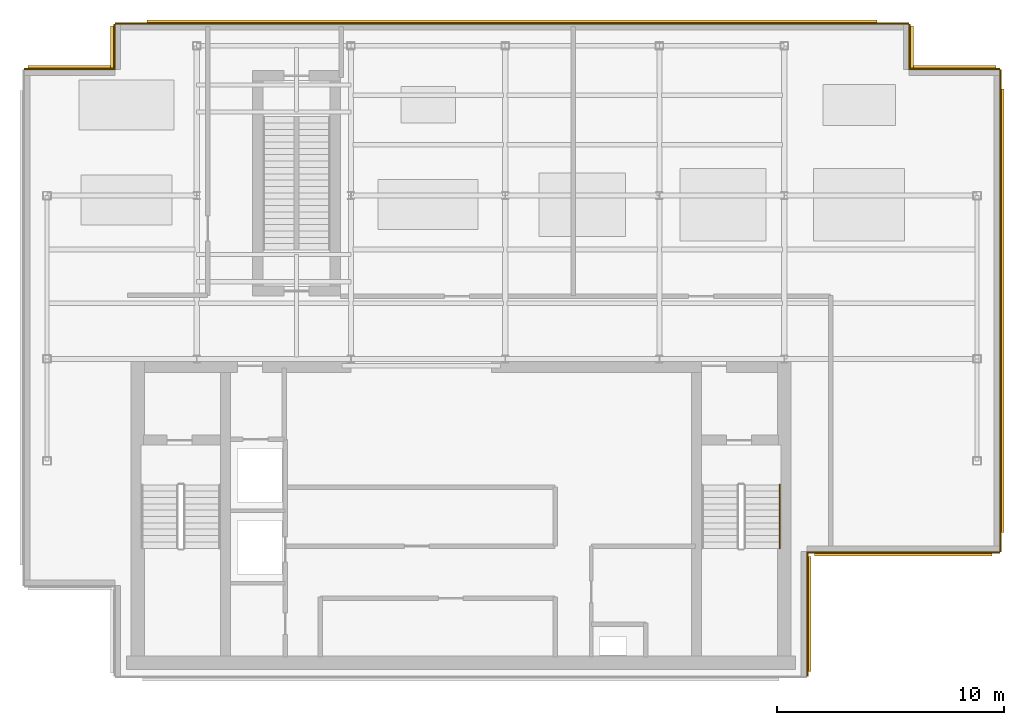
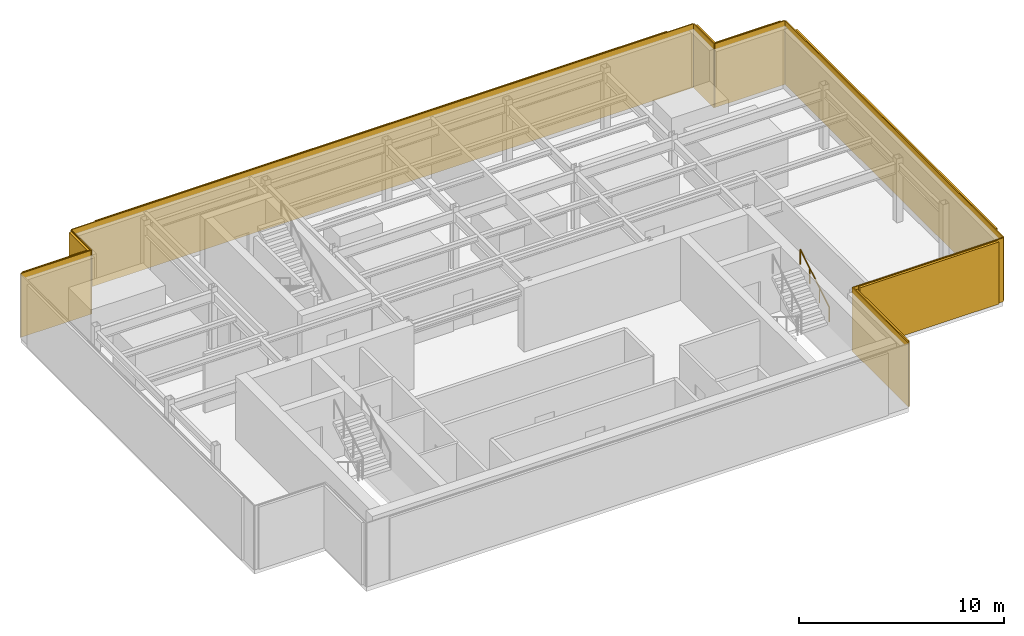
# One storey, part 6 of 7: 8 coverings, 8 shading devices, 1 railing.
"""IFC4 building model written with IfcOpenShell, lengths in metres."""

from ifc_helpers import new_model, si_unit, derived_unit, direction, frame, origin, origin_2d, place, context, subcontext, project, spatial, rectangle, circle, extrude, source, transform, mapped, material, layer, layer_set, type_object, element, save


model = new_model("IFC4")

# Units and contexts
model_context = context("Model", 3, precision=1e-05, world=origin(), true_north=direction((0.0, 1.0)))
body_context = subcontext(model_context, "Body", "Model", "MODEL_VIEW")
ifc_project = project(units=[si_unit("LENGTHUNIT", "METRE"), si_unit("AREAUNIT", "SQUARE_METRE"), si_unit("VOLUMEUNIT", "CUBIC_METRE"), si_unit("PLANEANGLEUNIT", "RADIAN"), si_unit("MASSUNIT", "GRAM", prefix="KILO"), derived_unit("THERMALTRANSMITTANCEUNIT", [(si_unit("POWERUNIT", "WATT"), 1), (si_unit("LENGTHUNIT", "METRE"), -2), (si_unit("THERMODYNAMICTEMPERATUREUNIT", "KELVIN"), -1)])], contexts=[model_context])

# Site, building, storey
site_placement = place(None, origin())
site = spatial("IfcSite", under=ifc_project, at=site_placement, CompositionType="ELEMENT")
building_placement = place(site_placement, origin())
building = spatial("IfcBuilding", under=site, at=building_placement, Name="Skarnbrae Concourse Arena and Tower", CompositionType="ELEMENT")
storey_placement = place(building_placement, frame((0.0, 0.0, 299.85009765625)))
storey = spatial("IfcBuildingStorey", under=building, at=storey_placement, Name="L78", CompositionType="ELEMENT", Elevation=299.85009765625)

# Railing
ifc_material_1 = material(Name="Steel CSA G40.21 350W", Category="steel")
railing_type = type_object("IfcRailingType", Name="RAIL-HANDRAIL-900", PredefinedType="HANDRAIL", material=ifc_material_1)
railing_placement = place(storey_placement, frame((33.300048828125, 5.64990234375, 2.072509765625)))
element("IfcRailing", 1, at=railing_placement, inside=storey, type_object=railing_type, Name="L78 ST-2 stair handrail 2", PredefinedType="HANDRAIL", context=body_context, shape_type="SweptSolid", body=[
    extrude(circle(Radius=0.02392578125, at=origin_2d()), frame((0.0, 0.0, 0.8759765625), z_axis=(0.0, 0.851089632645, 0.525020415988), x_axis=(-1.0, 0.0, 0.0)), (0.0, 0.0, 1.0), 3.2900390625),
    extrude(circle(Radius=0.02099609375, at=origin_2d()), origin(), (0.0, 0.0, 1.0), 0.851806640625),
    extrude(circle(Radius=0.02099609375, at=origin_2d()), frame((0.0, 0.933349609375, 0.57568359375)), (0.0, 0.0, 1.0), 0.851806640625),
    extrude(circle(Radius=0.02099609375, at=origin_2d()), frame((0.0, 1.86669921875, 1.151611328125)), (0.0, 0.0, 1.0), 0.851806640625),
    extrude(circle(Radius=0.02099609375, at=origin_2d()), frame((0.0, 2.800048828125, 1.727294921875)), (0.0, 0.0, 1.0), 0.851806640625),
])

# Covering
ifc_material_2 = material(Name="Bronze anodised aluminium 6063-T6", Category="aluminium")
ifc_layer = layer(ifc_material_2, 0.06005859375)
ifc_layer_set = layer_set([ifc_layer], Name="Bronze anodised aluminium 6063-T6")
covering_type = type_object("IfcCoveringType", Name="COV-CLAD-BRONZE-60", PredefinedType="CLADDING", material=ifc_layer_set)
shared_shape_1 = source(origin(), body_context, "Body", "SweptSolid", [
    extrude(rectangle(XDim=5.5, YDim=0.06005859375, at=origin_2d()), origin(), (0.0, 0.0, 1.0), 3.800048828125),
])
covering_1_placement = place(storey_placement, frame((34.530029296875, 2.75, 0.0), z_axis=(0.0, 0.0, 1.0), x_axis=(0.0, 1.0, 0.0)))
element("IfcCovering", 2, at=covering_1_placement, inside=storey, type_object=covering_type, Name="L78 Bronze crown rainscreen cladding 02", PredefinedType="CLADDING", context=body_context, shape_type="MappedRepresentation", body=[
    mapped(shared_shape_1, transform((0.0, 0.0, 0.0))),
])

# Shading device
shading_device_type = type_object("IfcShadingDeviceType", Name="SHD-BRONZE-LOUVRE-150", PredefinedType="USERDEFINED", material=ifc_material_2)
shared_shape_2 = source(origin(), body_context, "Body", "SweptSolid", [
    extrude(rectangle(XDim=5.06005859375, YDim=0.139892578125, at=origin_2d()), origin(), (0.0, 0.0, 1.0), 3.699951171875),
])
shading_device_1_placement = place(storey_placement, frame((34.6201171875, 2.75, 0.0498046875), z_axis=(0.0, 0.0, 1.0), x_axis=(0.0, 1.0, 0.0)))
element("IfcShadingDevice", 3, at=shading_device_1_placement, inside=storey, type_object=shading_device_type, Name="L78 Crown bronze architectural louvre screen 02", ObjectType="LOUVRE", PredefinedType="USERDEFINED", context=body_context, shape_type="MappedRepresentation", body=[
    mapped(shared_shape_2, transform((0.0, 0.0, 0.0))),
])

# Covering
shared_shape_3 = source(origin(), body_context, "Body", "SweptSolid", [
    extrude(rectangle(XDim=8.5, YDim=0.06005859375, at=origin_2d()), origin(), (0.0, 0.0, 1.0), 3.800048828125),
])
covering_2_placement = place(storey_placement, frame((38.75, 5.469970703125, 0.0), z_axis=(0.0, 0.0, 1.0), x_axis=(1.0, 0.0, 0.0)))
element("IfcCovering", 4, at=covering_2_placement, inside=storey, type_object=covering_type, Name="L78 Bronze crown rainscreen cladding 03", PredefinedType="CLADDING", context=body_context, shape_type="MappedRepresentation", body=[
    mapped(shared_shape_3, transform((0.0, 0.0, 0.0))),
])

# Shading device
shared_shape_4 = source(origin(), body_context, "Body", "SweptSolid", [
    extrude(rectangle(XDim=7.820068359375, YDim=0.139892578125, at=origin_2d()), origin(), (0.0, 0.0, 1.0), 3.699951171875),
])
shading_device_2_placement = place(storey_placement, frame((38.75, 5.3798828125, 0.0498046875), z_axis=(0.0, 0.0, 1.0), x_axis=(1.0, 0.0, 0.0)))
element("IfcShadingDevice", 5, at=shading_device_2_placement, inside=storey, type_object=shading_device_type, Name="L78 Crown bronze architectural louvre screen 03", ObjectType="LOUVRE", PredefinedType="USERDEFINED", context=body_context, shape_type="MappedRepresentation", body=[
    mapped(shared_shape_4, transform((0.0, 0.0, 0.0))),
])

# Covering
shared_shape_5 = source(origin(), body_context, "Body", "SweptSolid", [
    extrude(rectangle(XDim=21.25, YDim=0.06005859375, at=origin_2d()), origin(), (0.0, 0.0, 1.0), 3.800048828125),
])
covering_3_placement = place(storey_placement, frame((43.030029296875, 16.125, 0.0), z_axis=(0.0, 0.0, 1.0), x_axis=(0.0, 1.0, 0.0)))
element("IfcCovering", 6, at=covering_3_placement, inside=storey, type_object=covering_type, Name="L78 Bronze crown rainscreen cladding 04", PredefinedType="CLADDING", context=body_context, shape_type="MappedRepresentation", body=[
    mapped(shared_shape_5, transform((0.0, 0.0, 0.0))),
])

# Shading device
shared_shape_6 = source(origin(), body_context, "Body", "SweptSolid", [
    extrude(rectangle(XDim=19.550048828125, YDim=0.139892578125, at=origin_2d()), origin(), (0.0, 0.0, 1.0), 3.699951171875),
])
shading_device_3_placement = place(storey_placement, frame((43.1201171875, 16.125, 0.0498046875), z_axis=(0.0, 0.0, 1.0), x_axis=(0.0, 1.0, 0.0)))
element("IfcShadingDevice", 7, at=shading_device_3_placement, inside=storey, type_object=shading_device_type, Name="L78 Crown bronze architectural louvre screen 04", ObjectType="LOUVRE", PredefinedType="USERDEFINED", context=body_context, shape_type="MappedRepresentation", body=[
    mapped(shared_shape_6, transform((0.0, 0.0, 0.0))),
])

# Coverings
shared_shape_7 = source(origin(), body_context, "Body", "SweptSolid", [
    extrude(rectangle(XDim=4.0, YDim=0.06005859375, at=origin_2d()), origin(), (0.0, 0.0, 1.0), 3.800048828125),
])
for number, where, z_axis, x_axis, name in (
    (8, (41.0, 26.780029296875, 0.0), (0.0, 0.0, 1.0), (-1.0, 0.0, 0.0), "L78 Bronze crown rainscreen cladding 05"),
    (9, (2.0, 26.780029296875, 0.0), (0.0, 0.0, 1.0), (-1.0, 0.0, 0.0), "L78 Bronze crown rainscreen cladding 09"),
):
    element("IfcCovering", number, at=place(storey_placement, frame(where, z_axis=z_axis, x_axis=x_axis)), inside=storey, type_object=covering_type, Name=name, PredefinedType="CLADDING", context=body_context, shape_type="MappedRepresentation", body=[
        mapped(shared_shape_7, transform((0.0, 0.0, 0.0))),
    ])

# Shading devices
shared_shape_8 = source(origin(), body_context, "Body", "SweptSolid", [
    extrude(rectangle(XDim=3.679931640625, YDim=0.139892578125, at=origin_2d()), origin(), (0.0, 0.0, 1.0), 3.699951171875),
])
for number, where, z_axis, x_axis, name in (
    (10, (41.0, 26.8701171875, 0.0498046875), (0.0, 0.0, 1.0), (-1.0, 0.0, 0.0), "L78 Crown bronze architectural louvre screen 05"),
    (11, (2.0, 26.8701171875, 0.0498046875), (0.0, 0.0, 1.0), (-1.0, 0.0, 0.0), "L78 Crown bronze architectural louvre screen 09"),
):
    element("IfcShadingDevice", number, at=place(storey_placement, frame(where, z_axis=z_axis, x_axis=x_axis)), inside=storey, type_object=shading_device_type, Name=name, ObjectType="LOUVRE", PredefinedType="USERDEFINED", context=body_context, shape_type="MappedRepresentation", body=[
        mapped(shared_shape_8, transform((0.0, 0.0, 0.0))),
    ])

# Coverings
shared_shape_9 = source(origin(), body_context, "Body", "SweptSolid", [
    extrude(rectangle(XDim=2.0, YDim=0.06005859375, at=origin_2d()), origin(), (0.0, 0.0, 1.0), 3.800048828125),
])
for number, where, z_axis, x_axis, name in (
    (12, (39.030029296875, 27.75, 0.0), (0.0, 0.0, 1.0), (0.0, 1.0, 0.0), "L78 Bronze crown rainscreen cladding 06"),
    (13, (3.969970703125, 27.75, 0.0), (0.0, 0.0, 1.0), (0.0, -1.0, 0.0), "L78 Bronze crown rainscreen cladding 08"),
):
    element("IfcCovering", number, at=place(storey_placement, frame(where, z_axis=z_axis, x_axis=x_axis)), inside=storey, type_object=covering_type, Name=name, PredefinedType="CLADDING", context=body_context, shape_type="MappedRepresentation", body=[
        mapped(shared_shape_9, transform((0.0, 0.0, 0.0))),
    ])

# Shading devices
shared_shape_10 = source(origin(), body_context, "Body", "SweptSolid", [
    extrude(rectangle(XDim=1.840087890625, YDim=0.139892578125, at=origin_2d()), origin(), (0.0, 0.0, 1.0), 3.699951171875),
])
for number, where, z_axis, x_axis, name in (
    (14, (39.1201171875, 27.75, 0.0498046875), (0.0, 0.0, 1.0), (0.0, 1.0, 0.0), "L78 Crown bronze architectural louvre screen 06"),
    (15, (3.8798828125, 27.75, 0.0498046875), (0.0, 0.0, 1.0), (0.0, -1.0, 0.0), "L78 Crown bronze architectural louvre screen 08"),
):
    element("IfcShadingDevice", number, at=place(storey_placement, frame(where, z_axis=z_axis, x_axis=x_axis)), inside=storey, type_object=shading_device_type, Name=name, ObjectType="LOUVRE", PredefinedType="USERDEFINED", context=body_context, shape_type="MappedRepresentation", body=[
        mapped(shared_shape_10, transform((0.0, 0.0, 0.0))),
    ])

# Covering
shared_shape_11 = source(origin(), body_context, "Body", "SweptSolid", [
    extrude(rectangle(XDim=35.0, YDim=0.06005859375, at=origin_2d()), origin(), (0.0, 0.0, 1.0), 3.800048828125),
])
covering_4_placement = place(storey_placement, frame((21.5, 28.780029296875, 0.0), z_axis=(0.0, 0.0, 1.0), x_axis=(-1.0, 0.0, 0.0)))
element("IfcCovering", 16, at=covering_4_placement, inside=storey, type_object=covering_type, Name="L78 Bronze crown rainscreen cladding 07", PredefinedType="CLADDING", context=body_context, shape_type="MappedRepresentation", body=[
    mapped(shared_shape_11, transform((0.0, 0.0, 0.0))),
])

# Shading device
shared_shape_12 = source(origin(), body_context, "Body", "SweptSolid", [
    extrude(rectangle(XDim=32.199951171875, YDim=0.139892578125, at=origin_2d()), origin(), (0.0, 0.0, 1.0), 3.699951171875),
])
shading_device_4_placement = place(storey_placement, frame((21.5, 28.8701171875, 0.0498046875), z_axis=(0.0, 0.0, 1.0), x_axis=(-1.0, 0.0, 0.0)))
element("IfcShadingDevice", 17, at=shading_device_4_placement, inside=storey, type_object=shading_device_type, Name="L78 Crown bronze architectural louvre screen 07", ObjectType="LOUVRE", PredefinedType="USERDEFINED", context=body_context, shape_type="MappedRepresentation", body=[
    mapped(shared_shape_12, transform((0.0, 0.0, 0.0))),
])

save(model, "model.ifc")
